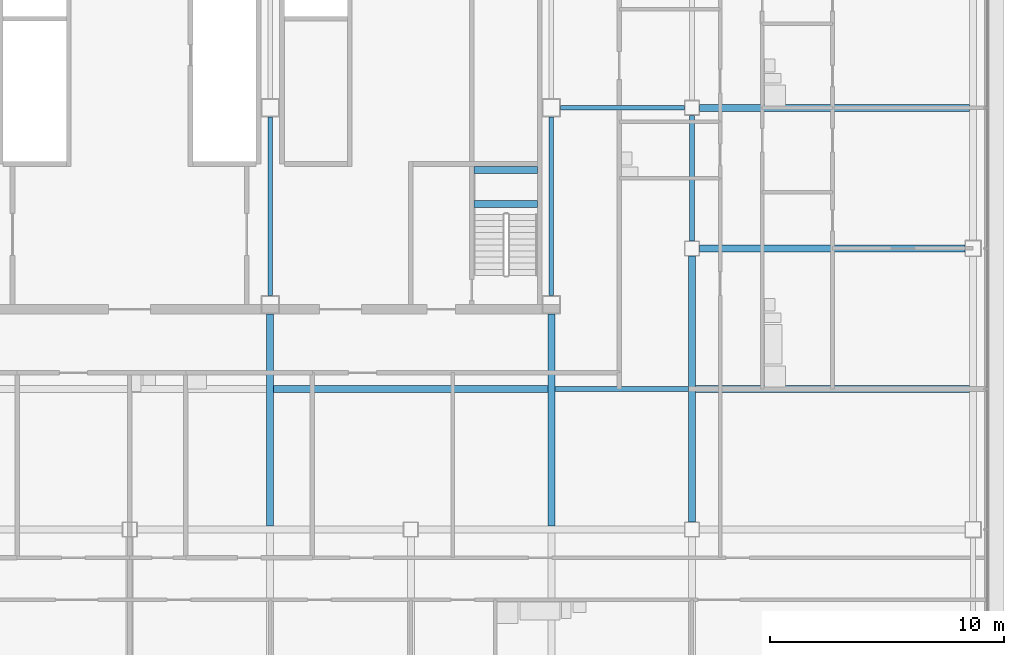
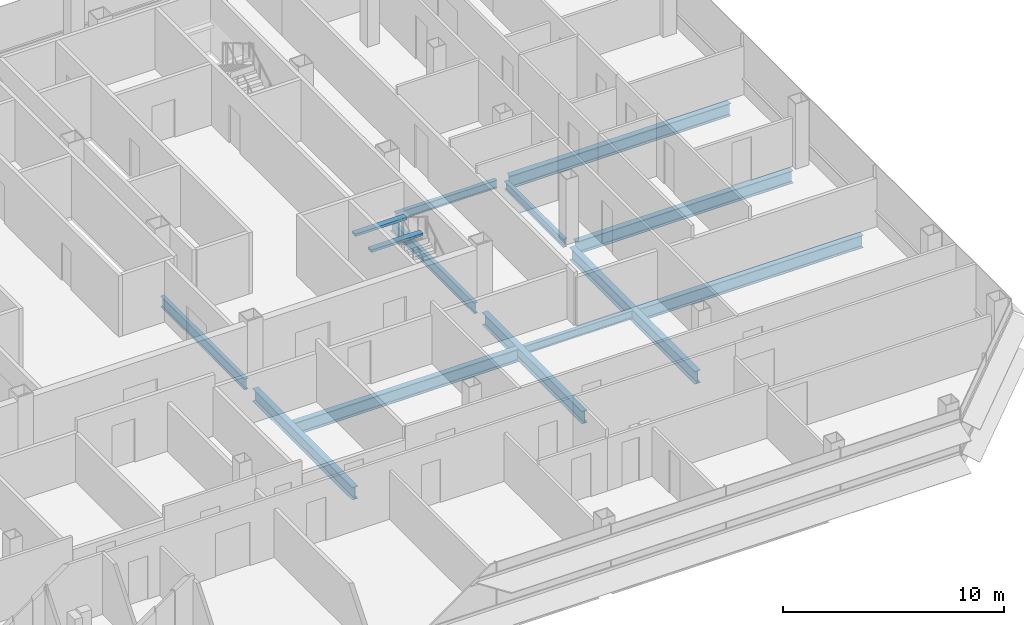
# One storey, part 10 of 26: 14 beams.
"""IFC4 building model written with IfcOpenShell, lengths in metres."""

from ifc_helpers import new_model, si_unit, direction, frame, origin, origin_2d, place, context, subcontext, project, spatial, rectangle, i_section, extrude, material, material_profile, profile_set, type_object, element, save


model = new_model("IFC4")

# Units and contexts
model_context = context("Model", 3, precision=1e-05, world=origin(), true_north=direction((0.0, 1.0)))
body_context = subcontext(model_context, "Body", "Model", "MODEL_VIEW")
ifc_project = project(units=[si_unit("LENGTHUNIT", "METRE"), si_unit("AREAUNIT", "SQUARE_METRE"), si_unit("VOLUMEUNIT", "CUBIC_METRE"), si_unit("PLANEANGLEUNIT", "RADIAN"), si_unit("MASSUNIT", "GRAM", prefix="KILO")], contexts=[model_context])

# Site, building, storey
site_placement = place(None, origin())
site = spatial("IfcSite", under=ifc_project, at=site_placement, CompositionType="ELEMENT")
building_placement = place(site_placement, origin())
building = spatial("IfcBuilding", under=site, at=building_placement, Name="Sorahane Residences", CompositionType="ELEMENT")
storey_placement = place(building_placement, frame((0.0, 0.0, 158.199951171875)))
storey = spatial("IfcBuildingStorey", under=building, at=storey_placement, Name="L36", CompositionType="ELEMENT", Elevation=158.199951171875)

# Beams
ifc_material_1 = material(Name="Concrete C40", Category="concrete")
ifc_material_profile_1 = material_profile(ifc_material_1, rectangle(XDim=0.300048828125, YDim=0.139892578125, at=origin_2d()), Name="300x140")
ifc_profile_set_1 = profile_set([ifc_material_profile_1], Name="Concrete C40")
beam_type_1 = type_object("IfcBeamType", Name="RC landing beam 300 x 140 Concrete C40", PredefinedType="BEAM", material=ifc_profile_set_1)
for number, where, z_axis, x_axis, name in (
    (1, (38.699951171875, 25.89990234375, 1.530029296875), (1.0, 0.0, 0.0), (0.0, 1.0, 0.0), "Landing beam"),
    (2, (38.699951171875, 27.35009765625, 1.530029296875), (1.0, 0.0, 0.0), (0.0, 1.0, 0.0), "Landing beam"),
):
    element("IfcBeam", number, at=place(storey_placement, frame(where, z_axis=z_axis, x_axis=x_axis)), inside=storey, type_object=beam_type_1, Name=name, PredefinedType="BEAM", context=body_context, shape_type="SweptSolid", body=[
        extrude(rectangle(XDim=0.300048828125, YDim=0.139892578125, at=origin_2d()), origin(), (0.0, 0.0, 1.0), 2.699951171875),
    ])
ifc_material_2 = material(Name="Steel Q355B", Category="steel")
ifc_material_profile_2 = material_profile(ifc_material_2, i_section(OverallWidth=0.199951171875, OverallDepth=0.449951171875, WebThickness=0.009033203125, FlangeThickness=0.013916015625, FilletRadius=0.02001953125, at=origin_2d()), Name="HN 450x200x9x14")
ifc_profile_set_2 = profile_set([ifc_material_profile_2], Name="Steel Q355B")
beam_type_2 = type_object("IfcBeamType", Name="Steel floor beam HN 450x200x9x14 Q355B", PredefinedType="BEAM", material=ifc_profile_set_2)
beam_1_placement = place(storey_placement, frame((48.0, 24.324951171875, -0.405029296875), z_axis=(0.0, 1.0, 0.0), x_axis=(-1.0, 0.0, 0.0)))
element("IfcBeam", 3, at=beam_1_placement, inside=storey, type_object=beam_type_2, Name="Beam L36 060", PredefinedType="BEAM", context=body_context, shape_type="SweptSolid", body=[
    extrude(i_section(OverallWidth=0.199951171875, OverallDepth=0.449951171875, WebThickness=0.009033203125, FlangeThickness=0.013916015625, FilletRadius=0.02001953125, at=origin_2d()), origin(), (0.0, 0.0, 1.0), 5.35009765625),
])
beam_2_placement = place(storey_placement, frame((42.14990234375, 18.0, -0.405029296875), z_axis=(1.0, 0.0, 0.0), x_axis=(0.0, 1.0, 0.0)))
element("IfcBeam", 4, at=beam_2_placement, inside=storey, type_object=beam_type_2, Name="Beam L36 083", PredefinedType="BEAM", context=body_context, shape_type="SweptSolid", body=[
    extrude(i_section(OverallWidth=0.199951171875, OverallDepth=0.449951171875, WebThickness=0.009033203125, FlangeThickness=0.013916015625, FilletRadius=0.02001953125, at=origin_2d()), origin(), (0.0, 0.0, 1.0), 5.7001953125),
])
beam_3_placement = place(storey_placement, frame((42.39990234375, 30.0, -0.405029296875), z_axis=(1.0, 0.0, 0.0), x_axis=(0.0, 1.0, 0.0)))
element("IfcBeam", 5, at=beam_3_placement, inside=storey, type_object=beam_type_2, Name="Beam L36 087", PredefinedType="BEAM", context=body_context, shape_type="SweptSolid", body=[
    extrude(i_section(OverallWidth=0.199951171875, OverallDepth=0.449951171875, WebThickness=0.009033203125, FlangeThickness=0.013916015625, FilletRadius=0.02001953125, at=origin_2d()), origin(), (0.0, 0.0, 1.0), 5.275146484375),
])
ifc_material_3 = material(Name="Steel Q355B", Category="steel")
ifc_material_profile_3 = material_profile(ifc_material_3, i_section(OverallWidth=0.199951171875, OverallDepth=0.60009765625, WebThickness=0.010986328125, FlangeThickness=0.01708984375, FilletRadius=0.02392578125, at=origin_2d()), Name="HN 600x200x11x17")
ifc_profile_set_3 = profile_set([ifc_material_profile_3], Name="Steel Q355B")
beam_type_3 = type_object("IfcBeamType", Name="Steel floor beam HN 600x200x11x17 Q355B", PredefinedType="BEAM", material=ifc_profile_set_3)
for number, where, z_axis, x_axis, name in (
    (6, (30.0, 22.0, -0.47998046875), (0.0, 1.0, 0.0), (-1.0, 0.0, 0.0), "Beam L36 046"),
    (7, (42.0, 22.0, -0.47998046875), (0.0, 1.0, 0.0), (-1.0, 0.0, 0.0), "Beam L36 054"),
):
    element("IfcBeam", number, at=place(storey_placement, frame(where, z_axis=z_axis, x_axis=x_axis)), inside=storey, type_object=beam_type_3, Name=name, PredefinedType="BEAM", context=body_context, shape_type="SweptSolid", body=[
        extrude(i_section(OverallWidth=0.199951171875, OverallDepth=0.60009765625, WebThickness=0.010986328125, FlangeThickness=0.01708984375, FilletRadius=0.02392578125, at=origin_2d()), origin(), (0.0, 0.0, 1.0), 7.60009765625),
    ])
ifc_material_4 = material(Name="Steel Q355B", Category="steel")
ifc_material_profile_4 = material_profile(ifc_material_4, i_section(OverallWidth=0.300048828125, OverallDepth=0.699951171875, WebThickness=0.012939453125, FlangeThickness=0.02392578125, FilletRadius=0.028076171875, at=origin_2d()), Name="HN 700x300x13x24")
ifc_profile_set_4 = profile_set([ifc_material_profile_4], Name="Steel Q355B")
beam_type_4 = type_object("IfcBeamType", Name="Steel floor beam HN 700x300x13x24 Q355B", PredefinedType="BEAM", material=ifc_profile_set_4)
beam_4_placement = place(storey_placement, frame((48.324951171875, 24.0, -0.530029296875), z_axis=(1.0, 0.0, 0.0), x_axis=(0.0, 1.0, 0.0)))
element("IfcBeam", 8, at=beam_4_placement, inside=storey, type_object=beam_type_4, Name="Beam L36 012", PredefinedType="BEAM", context=body_context, shape_type="SweptSolid", body=[
    extrude(i_section(OverallWidth=0.300048828125, OverallDepth=0.699951171875, WebThickness=0.012939453125, FlangeThickness=0.02392578125, FilletRadius=0.028076171875, at=origin_2d()), origin(), (0.0, 0.0, 1.0), 11.324951171875),
])
for number, where, z_axis, x_axis, name in (
    (9, (30.0, 12.14990234375, -0.530029296875), (0.0, 1.0, 0.0), (-1.0, 0.0, 0.0), "Beam L36 045"),
    (10, (42.0, 12.14990234375, -0.530029296875), (0.0, 1.0, 0.0), (-1.0, 0.0, 0.0), "Beam L36 053"),
):
    element("IfcBeam", number, at=place(storey_placement, frame(where, z_axis=z_axis, x_axis=x_axis)), inside=storey, type_object=beam_type_4, Name=name, PredefinedType="BEAM", context=body_context, shape_type="SweptSolid", body=[
        extrude(i_section(OverallWidth=0.300048828125, OverallDepth=0.699951171875, WebThickness=0.012939453125, FlangeThickness=0.02392578125, FilletRadius=0.028076171875, at=origin_2d()), origin(), (0.0, 0.0, 1.0), 9.050048828125),
    ])
beam_5_placement = place(storey_placement, frame((48.0, 12.324951171875, -0.530029296875), z_axis=(0.0, 1.0, 0.0), x_axis=(-1.0, 0.0, 0.0)))
element("IfcBeam", 11, at=beam_5_placement, inside=storey, type_object=beam_type_4, Name="Beam L36 059", PredefinedType="BEAM", context=body_context, shape_type="SweptSolid", body=[
    extrude(i_section(OverallWidth=0.300048828125, OverallDepth=0.699951171875, WebThickness=0.012939453125, FlangeThickness=0.02392578125, FilletRadius=0.028076171875, at=origin_2d()), origin(), (0.0, 0.0, 1.0), 11.35009765625),
])
for number, where, z_axis, x_axis, name in (
    (12, (30.14990234375, 18.0, -0.530029296875), (1.0, 0.0, 0.0), (0.0, 1.0, 0.0), "Beam L36 082"),
    (13, (48.14990234375, 18.0, -0.530029296875), (1.0, 0.0, 0.0), (0.0, 1.0, 0.0), "Beam L36 084"),
):
    element("IfcBeam", number, at=place(storey_placement, frame(where, z_axis=z_axis, x_axis=x_axis)), inside=storey, type_object=beam_type_4, Name=name, PredefinedType="BEAM", context=body_context, shape_type="SweptSolid", body=[
        extrude(i_section(OverallWidth=0.300048828125, OverallDepth=0.699951171875, WebThickness=0.012939453125, FlangeThickness=0.02392578125, FilletRadius=0.028076171875, at=origin_2d()), origin(), (0.0, 0.0, 1.0), 11.7001953125),
    ])
beam_6_placement = place(storey_placement, frame((48.324951171875, 30.0, -0.530029296875), z_axis=(1.0, 0.0, 0.0), x_axis=(0.0, 1.0, 0.0)))
element("IfcBeam", 14, at=beam_6_placement, inside=storey, type_object=beam_type_4, Name="Beam L36 088", PredefinedType="BEAM", context=body_context, shape_type="SweptSolid", body=[
    extrude(i_section(OverallWidth=0.300048828125, OverallDepth=0.699951171875, WebThickness=0.012939453125, FlangeThickness=0.02392578125, FilletRadius=0.028076171875, at=origin_2d()), origin(), (0.0, 0.0, 1.0), 11.525146484375),
])

save(model, "model.ifc")
